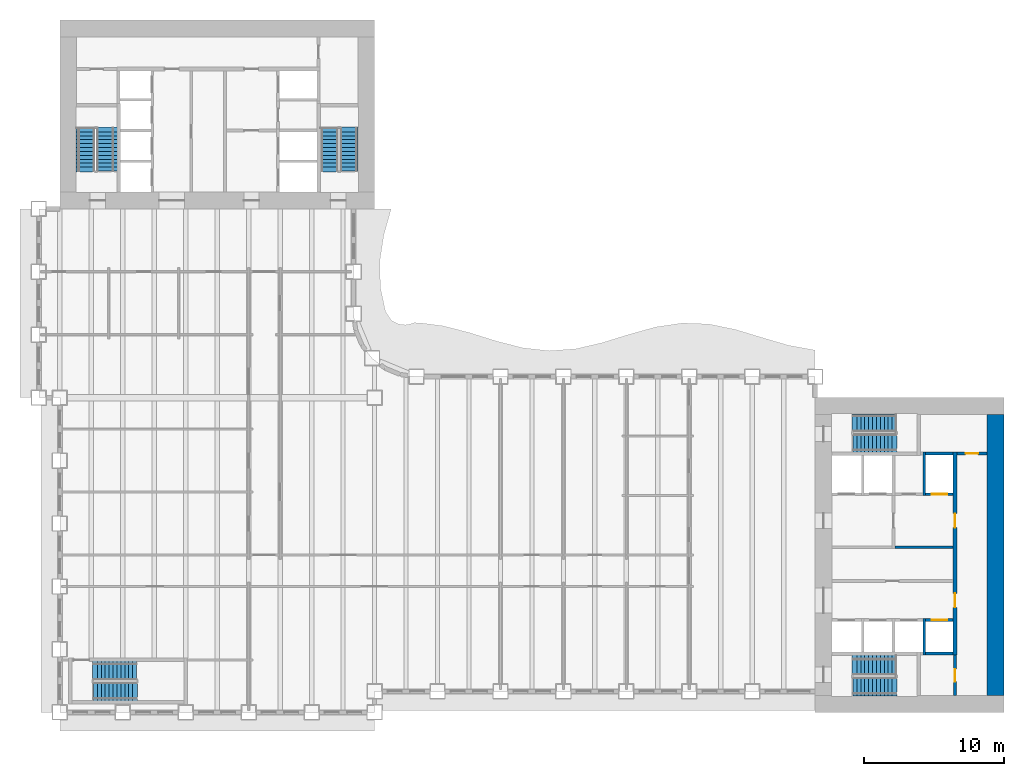
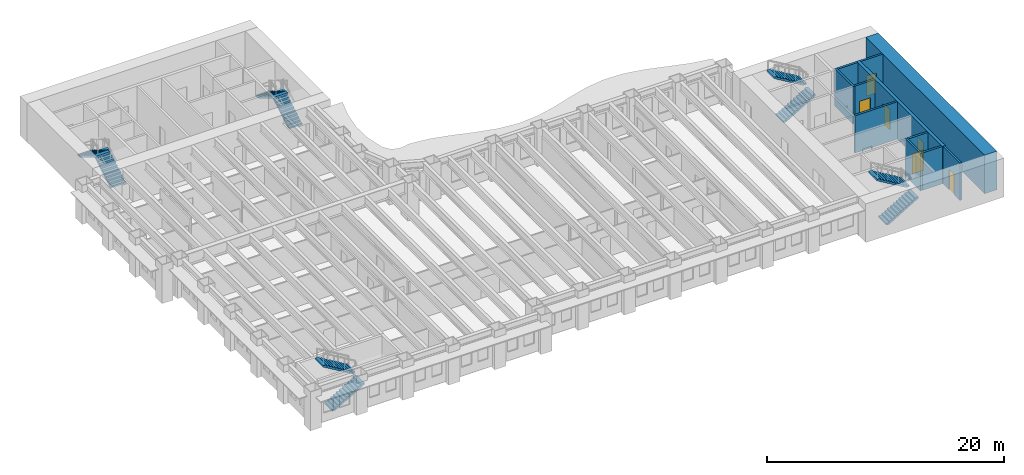
# One storey, part 9 of 15: 11 walls, 10 stair flights, 6 doors, 6 openings, 5 elements without a shape of their own.
"""IFC4 building model written with IfcOpenShell, lengths in metres."""

from ifc_helpers import new_model, si_unit, direction, frame, frame_2d, origin, place, context, subcontext, project, spatial, polyline, rectangle, outline, extrude, material, layer, layer_set, type_object, element, fill, aggregate, save


model = new_model("IFC4")

# Units and contexts
model_context = context("Model", 3, precision=1e-05, world=origin(), true_north=direction((0.0, 1.0)))
body_context = subcontext(model_context, "Body", "Model", "MODEL_VIEW")
ifc_project = project(units=[si_unit("LENGTHUNIT", "METRE"), si_unit("AREAUNIT", "SQUARE_METRE"), si_unit("VOLUMEUNIT", "CUBIC_METRE"), si_unit("PLANEANGLEUNIT", "RADIAN"), si_unit("MASSUNIT", "GRAM", prefix="KILO")], contexts=[model_context])

# Site, building, storey
site_placement = place(None, origin())
site = spatial("IfcSite", under=ifc_project, at=site_placement, CompositionType="ELEMENT")
building_placement = place(site_placement, origin())
building = spatial("IfcBuilding", under=site, at=building_placement, Name="Sennacour Bend Tower", CompositionType="ELEMENT")
storey_placement = place(building_placement, frame((0.0, 0.0, 65.0)))
storey = spatial("IfcBuildingStorey", under=building, at=storey_placement, Name="L14", CompositionType="ELEMENT", Elevation=65.0)

# Wall
ifc_material_1 = material(Name="Concrete C80/95", Category="concrete")
ifc_layer_1 = layer(ifc_material_1, 1.199951171875, Name="Concrete C80/95", Category="concrete")
ifc_layer_set_1 = layer_set([ifc_layer_1], Name="Concrete C80/95")
wall_type_1 = type_object("IfcWallType", Name="Core wall 1200 C80/95", PredefinedType="SHEAR", material=ifc_layer_set_1)
wall_1_placement = place(storey_placement, frame((66.89990234375, 1.199951171875, -0.14990234375), z_axis=(0.0, 0.0, 1.0), x_axis=(0.0, 1.0, 0.0)))
element("IfcWall", 1, at=wall_1_placement, inside=storey, type_object=wall_type_1, Name="Core A wall L14 E", PredefinedType="SHEAR", context=body_context, shape_type="SweptSolid", body=[
    extrude(rectangle(XDim=20.10009765625, YDim=1.199951171875, at=frame_2d((10.050048828125, 0.0))), origin(), (0.0, 0.0, 1.0), 4.0),
])

# Wall, opening, door
ifc_material_2 = material(Name="Fire-rated plasterboard partition on steel studs", Category="steel")
ifc_layer_2 = layer(ifc_material_2, 0.199951171875, Name="Fire-rated plasterboard partition on steel studs", Category="steel")
ifc_layer_set_2 = layer_set([ifc_layer_2], Name="Fire-rated plasterboard partition on steel studs")
wall_type_2 = type_object("IfcWallType", Name="Rated partition 200", PredefinedType="PARTITIONING", material=ifc_layer_set_2)
wall_2_placement = place(storey_placement, frame((64.0, 1.199951171875, 0.0), z_axis=(0.0, 0.0, 1.0), x_axis=(0.0, 1.0, 0.0)))
wall_2 = element("IfcWall", 2, at=wall_2_placement, inside=storey, type_object=wall_type_2, Name="P-L14-W040", PredefinedType="PARTITIONING", context=body_context, shape_type="SweptSolid", body=[
    extrude(rectangle(XDim=2.900146484375, YDim=0.199951171875, at=frame_2d((1.4501953125, 0.0))), origin(), (0.0, 0.0, 1.0), 3.85009765625),
])
opening_1_placement = place(wall_2_placement, frame((1.0, 0.0, 0.0)))
opening_1 = element("IfcOpeningElement", 3, at=opening_1_placement, cuts=wall_2, Name="Opening SV", PredefinedType="OPENING", context=body_context, shape_type="SweptSolid", body=[
    extrude(rectangle(XDim=0.89990234375, YDim=2.10009765625, at=frame_2d((0.449951171875, 1.050048828125))), frame((0.0, 0.10986328125, 0.0), z_axis=(0.0, -1.0, 0.0), x_axis=(1.0, 0.0, 0.0)), (0.0, 0.0, 1.0), 0.219970703125),
])
ifc_material_3 = material(Name="Painted steel", Category="steel")
door_type_1 = type_object("IfcDoorType", Name="DR-SERVICE-900", OperationType="NOTDEFINED", PredefinedType="DOOR", material=ifc_material_3)
door_1_placement = place(opening_1_placement, origin())
door_1 = element("IfcDoor", 4, at=door_1_placement, inside=storey, type_object=door_type_1, Name="Door", OperationType="SINGLE_SWING_LEFT", OverallHeight=2.10009765625, OverallWidth=0.89990234375, PredefinedType="DOOR", context=body_context, shape_type="SweptSolid", body=[
    extrude(rectangle(XDim=0.89990234375, YDim=2.10009765625, at=frame_2d((0.449951171875, 1.050048828125))), frame((0.0, 0.02490234375, 0.0), z_axis=(0.0, -1.0, 0.0), x_axis=(1.0, 0.0, 0.0)), (0.0, 0.0, 1.0), 0.050048828125),
])
fill(opening_1, door_1)

# Wall
wall_3_placement = place(storey_placement, frame((59.699951171875, 11.800048828125, 0.0), z_axis=(0.0, 0.0, 1.0), x_axis=(1.0, 0.0, 0.0)))
element("IfcWall", 5, at=wall_3_placement, inside=storey, type_object=wall_type_2, Name="P-L14-W054b", PredefinedType="PARTITIONING", context=body_context, shape_type="SweptSolid", body=[
    extrude(rectangle(XDim=4.150146484375, YDim=0.199951171875, at=frame_2d((2.0751953125, 0.0))), origin(), (0.0, 0.0, 1.0), 3.85009765625),
])

# Wall, opening, door
wall_4_placement = place(storey_placement, frame((64.14990234375, 18.5, 0.0), z_axis=(0.0, 0.0, 1.0), x_axis=(1.0, 0.0, 0.0)))
wall_4 = element("IfcWall", 6, at=wall_4_placement, inside=storey, type_object=wall_type_2, Name="P-L14-W063", PredefinedType="PARTITIONING", context=body_context, shape_type="SweptSolid", body=[
    extrude(rectangle(XDim=2.150146484375, YDim=0.199951171875, at=frame_2d((1.0751953125, 0.0))), origin(), (0.0, 0.0, 1.0), 3.85009765625),
])
opening_2_placement = place(wall_4_placement, frame((0.60009765625, 0.0, 0.0)))
opening_2 = element("IfcOpeningElement", 7, at=opening_2_placement, cuts=wall_4, Name="Opening SV", PredefinedType="OPENING", context=body_context, shape_type="SweptSolid", body=[
    extrude(rectangle(XDim=0.89990234375, YDim=2.10009765625, at=frame_2d((0.449951171875, 1.050048828125))), frame((0.0, 0.10986328125, 0.0), z_axis=(0.0, -1.0, 0.0), x_axis=(1.0, 0.0, 0.0)), (0.0, 0.0, 1.0), 0.219970703125),
])
door_2_placement = place(opening_2_placement, origin())
door_2 = element("IfcDoor", 8, at=door_2_placement, inside=storey, type_object=door_type_1, Name="Door", OperationType="SINGLE_SWING_LEFT", OverallHeight=2.10009765625, OverallWidth=0.89990234375, PredefinedType="DOOR", context=body_context, shape_type="SweptSolid", body=[
    extrude(rectangle(XDim=0.89990234375, YDim=2.10009765625, at=frame_2d((0.449951171875, 1.050048828125))), frame((0.0, 0.02490234375, 0.0), z_axis=(0.0, -1.0, 0.0), x_axis=(1.0, 0.0, 0.0)), (0.0, 0.0, 1.0), 0.050048828125),
])
fill(opening_2, door_2)

# Walls
ifc_material_4 = material(Name="Concrete C50/60", Category="concrete")
ifc_layer_3 = layer(ifc_material_4, 0.199951171875, Name="Concrete C50/60", Category="concrete")
ifc_layer_set_3 = layer_set([ifc_layer_3], Name="Concrete C50/60")
wall_type_3 = type_object("IfcWallType", Name="Shaft wall 200", PredefinedType="SOLIDWALL", material=ifc_layer_set_3)
wall_5_placement = place(storey_placement, frame((61.800048828125, 4.10009765625, 0.0), z_axis=(0.0, 0.0, 1.0), x_axis=(0.0, 1.0, 0.0)))
element("IfcWall", 9, at=wall_5_placement, inside=storey, type_object=wall_type_3, Name="P-L14-W038", PredefinedType="SOLIDWALL", context=body_context, shape_type="SweptSolid", body=[
    extrude(rectangle(XDim=2.599853515625, YDim=0.199951171875, at=frame_2d((1.2998046875, 0.0))), origin(), (0.0, 0.0, 1.0), 3.85009765625),
])
wall_6_placement = place(storey_placement, frame((61.800048828125, 15.5, 0.0), z_axis=(0.0, 0.0, 1.0), x_axis=(0.0, 1.0, 0.0)))
element("IfcWall", 10, at=wall_6_placement, inside=storey, type_object=wall_type_3, Name="P-L14-W039", PredefinedType="SOLIDWALL", context=body_context, shape_type="SweptSolid", body=[
    extrude(rectangle(XDim=3.10009765625, YDim=0.199951171875, at=frame_2d((1.550048828125, 0.0))), origin(), (0.0, 0.0, 1.0), 3.85009765625),
])
wall_7_placement = place(storey_placement, frame((61.89990234375, 4.199951171875, 0.0), z_axis=(0.0, 0.0, 1.0), x_axis=(1.0, 0.0, 0.0)))
element("IfcWall", 11, at=wall_7_placement, inside=storey, type_object=wall_type_3, Name="P-L14-W049b", PredefinedType="SOLIDWALL", context=body_context, shape_type="SweptSolid", body=[
    extrude(rectangle(XDim=1.9501953125, YDim=0.199951171875, at=frame_2d((0.97509765625, 0.0))), origin(), (0.0, 0.0, 1.0), 3.85009765625),
])

# Wall, opening, door
wall_8_placement = place(storey_placement, frame((61.89990234375, 6.60009765625, 0.0), z_axis=(0.0, 0.0, 1.0), x_axis=(1.0, 0.0, 0.0)))
wall_8 = element("IfcWall", 12, at=wall_8_placement, inside=storey, type_object=wall_type_3, Name="P-L14-W050d", PredefinedType="SOLIDWALL", context=body_context, shape_type="SweptSolid", body=[
    extrude(rectangle(XDim=1.9501953125, YDim=0.199951171875, at=frame_2d((0.97509765625, 0.0))), origin(), (0.0, 0.0, 1.0), 3.85009765625),
])
opening_3_placement = place(wall_8_placement, frame((0.425048828125, 0.0, 0.011962890625)))
opening_3 = element("IfcOpeningElement", 13, at=opening_3_placement, cuts=wall_8, Name="Opening LD", PredefinedType="OPENING", context=body_context, shape_type="SweptSolid", body=[
    extrude(rectangle(XDim=1.10009765625, YDim=2.10009765625, at=frame_2d((0.550048828125, 1.050048828125))), frame((0.0, 0.10986328125, 0.0), z_axis=(0.0, -1.0, 0.0), x_axis=(1.0, 0.0, 0.0)), (0.0, 0.0, 1.0), 0.219970703125),
])
ifc_material_5 = material(Name="Stainless steel", Category="steel")
door_type_2 = type_object("IfcDoorType", Name="DR-LANDING-1100", OperationType="NOTDEFINED", PredefinedType="DOOR", material=ifc_material_5)
door_3_placement = place(opening_3_placement, origin())
door_3 = element("IfcDoor", 14, at=door_3_placement, inside=storey, type_object=door_type_2, Name="Lift landing door LA4", OperationType="SLIDING_TO_RIGHT", OverallHeight=2.10009765625, OverallWidth=1.10009765625, PredefinedType="DOOR", context=body_context, shape_type="SweptSolid", body=[
    extrude(rectangle(XDim=1.10009765625, YDim=2.10009765625, at=frame_2d((0.550048828125, 1.050048828125))), frame((0.0, 0.02490234375, 0.0), z_axis=(0.0, -1.0, 0.0), x_axis=(1.0, 0.0, 0.0)), (0.0, 0.0, 1.0), 0.050048828125),
])
fill(opening_3, door_3)

wall_9_placement = place(storey_placement, frame((61.89990234375, 15.60009765625, 0.0), z_axis=(0.0, 0.0, 1.0), x_axis=(1.0, 0.0, 0.0)))
wall_9 = element("IfcWall", 15, at=wall_9_placement, inside=storey, type_object=wall_type_3, Name="P-L14-W058", PredefinedType="SOLIDWALL", context=body_context, shape_type="SweptSolid", body=[
    extrude(rectangle(XDim=1.9501953125, YDim=0.199951171875, at=frame_2d((0.97509765625, 0.0))), origin(), (0.0, 0.0, 1.0), 3.85009765625),
])
opening_4_placement = place(wall_9_placement, frame((0.425048828125, 0.0, 0.011962890625)))
opening_4 = element("IfcOpeningElement", 16, at=opening_4_placement, cuts=wall_9, Name="Opening LD", PredefinedType="OPENING", context=body_context, shape_type="SweptSolid", body=[
    extrude(rectangle(XDim=1.10009765625, YDim=2.10009765625, at=frame_2d((0.550048828125, 1.050048828125))), frame((0.0, 0.10986328125, 0.0), z_axis=(0.0, -1.0, 0.0), x_axis=(1.0, 0.0, 0.0)), (0.0, 0.0, 1.0), 0.219970703125),
])
door_4_placement = place(opening_4_placement, origin())
door_4 = element("IfcDoor", 17, at=door_4_placement, inside=storey, type_object=door_type_2, Name="Lift landing door LA5", OperationType="SLIDING_TO_LEFT", OverallHeight=2.10009765625, OverallWidth=1.10009765625, PredefinedType="DOOR", context=body_context, shape_type="SweptSolid", body=[
    extrude(rectangle(XDim=1.10009765625, YDim=2.10009765625, at=frame_2d((0.550048828125, 1.050048828125))), frame((0.0, 0.02490234375, 0.0), z_axis=(0.0, -1.0, 0.0), x_axis=(1.0, 0.0, 0.0)), (0.0, 0.0, 1.0), 0.050048828125),
])
fill(opening_4, door_4)

# Wall
wall_10_placement = place(storey_placement, frame((61.89990234375, 18.5, 0.0), z_axis=(0.0, 0.0, 1.0), x_axis=(1.0, 0.0, 0.0)))
element("IfcWall", 18, at=wall_10_placement, inside=storey, type_object=wall_type_3, Name="P-L14-W062", PredefinedType="SOLIDWALL", context=body_context, shape_type="SweptSolid", body=[
    extrude(rectangle(XDim=1.9501953125, YDim=0.199951171875, at=frame_2d((0.97509765625, 0.0))), origin(), (0.0, 0.0, 1.0), 3.85009765625),
])

# Wall, openings, doors
ifc_material_6 = material(Name="Concrete C60/75", Category="concrete")
ifc_layer_4 = layer(ifc_material_6, 0.300048828125, Name="Concrete C60/75", Category="concrete")
ifc_layer_set_4 = layer_set([ifc_layer_4], Name="Concrete C60/75")
wall_type_4 = type_object("IfcWallType", Name="Spine wall 300", PredefinedType="SHEAR", material=ifc_layer_set_4)
wall_11_placement = place(storey_placement, frame((64.0, 4.10009765625, 0.0), z_axis=(0.0, 0.0, 1.0), x_axis=(0.0, 1.0, 0.0)))
wall_11 = element("IfcWall", 19, at=wall_11_placement, inside=storey, type_object=wall_type_4, Name="P-L14-W041", PredefinedType="SHEAR", context=body_context, shape_type="SweptSolid", body=[
    extrude(rectangle(XDim=14.5, YDim=0.300048828125, at=frame_2d((7.25, 0.0))), origin(), (0.0, 0.0, 1.0), 3.85009765625),
])
opening_5_placement = place(wall_11_placement, frame((3.39990234375, 0.0, 0.0)))
opening_5 = element("IfcOpeningElement", 20, at=opening_5_placement, cuts=wall_11, Name="Opening CD2", PredefinedType="OPENING", context=body_context, shape_type="SweptSolid", body=[
    extrude(rectangle(XDim=1.0, YDim=2.10009765625, at=frame_2d((0.5, 1.050048828125))), frame((0.0, 0.16015625, 0.0), z_axis=(0.0, -1.0, 0.0), x_axis=(1.0, 0.0, 0.0)), (0.0, 0.0, 1.0), 0.320068359375),
])
opening_6_placement = place(wall_11_placement, frame((9.099853515625, 0.0, 0.0)))
opening_6 = element("IfcOpeningElement", 21, at=opening_6_placement, cuts=wall_11, Name="Opening CD2", PredefinedType="OPENING", context=body_context, shape_type="SweptSolid", body=[
    extrude(rectangle(XDim=1.0, YDim=2.10009765625, at=frame_2d((0.5, 1.050048828125))), frame((0.0, 0.16015625, 0.0), z_axis=(0.0, -1.0, 0.0), x_axis=(1.0, 0.0, 0.0)), (0.0, 0.0, 1.0), 0.320068359375),
])
door_type_3 = type_object("IfcDoorType", Name="DR-LOBBY-1000", OperationType="NOTDEFINED", PredefinedType="DOOR", material=ifc_material_3)
door_5_placement = place(opening_5_placement, origin())
door_5 = element("IfcDoor", 22, at=door_5_placement, inside=storey, type_object=door_type_3, Name="Door", OperationType="SINGLE_SWING_LEFT", OverallHeight=2.10009765625, OverallWidth=1.0, PredefinedType="DOOR", context=body_context, shape_type="SweptSolid", body=[
    extrude(rectangle(XDim=1.0, YDim=2.10009765625, at=frame_2d((0.5, 1.050048828125))), frame((0.0, 0.02490234375, 0.0), z_axis=(0.0, -1.0, 0.0), x_axis=(1.0, 0.0, 0.0)), (0.0, 0.0, 1.0), 0.050048828125),
])
fill(opening_5, door_5)
door_6_placement = place(opening_6_placement, origin())
door_6 = element("IfcDoor", 23, at=door_6_placement, inside=storey, type_object=door_type_3, Name="Door", OperationType="SINGLE_SWING_RIGHT", OverallHeight=2.10009765625, OverallWidth=1.0, PredefinedType="DOOR", context=body_context, shape_type="SweptSolid", body=[
    extrude(rectangle(XDim=1.0, YDim=2.10009765625, at=frame_2d((0.5, 1.050048828125))), frame((0.0, 0.02490234375, 0.0), z_axis=(0.0, -1.0, 0.0), x_axis=(1.0, 0.0, 0.0)), (0.0, 0.0, 1.0), 0.050048828125),
])
fill(opening_6, door_6)

# Stair, stair flights
ifc_material_7 = material(Name="Concrete C40/50", Category="concrete")
stair_type = type_object("IfcStairType", Name="ST-DOGLEG", PredefinedType="HALF_TURN_STAIR", material=ifc_material_7)
stair_1_placement = place(storey_placement, origin())
stair_1 = element("IfcStair", 24, at=stair_1_placement, inside=storey, type_object=stair_type, Name="L14 Exit stair A1", PredefinedType="HALF_TURN_STAIR")
stair_flight_type = type_object("IfcStairFlightType", Name="SFL-RC", PredefinedType="STRAIGHT", material=ifc_material_7)
stair_flight_1_placement = place(storey_placement, frame((56.699951171875, 1.8349609375, 0.0), z_axis=(0.0, 0.0, 1.0), x_axis=(1.0, 0.0, 0.0)))
stair_flight_1 = element("IfcStairFlight", 25, at=stair_flight_1_placement, type_object=stair_flight_type, Name="SA1 flight 1", NumberOfRisers=12, NumberOfTreads=11, PredefinedType="STRAIGHT", RiserHeight=0.166666667, TreadLength=0.28, context=body_context, shape_type="SweptSolid", body=[
    extrude(outline(polyline([(0.0, 0.0), (0.0, 0.166748046875), (0.280029296875, 0.166748046875), (0.280029296875, 0.333251953125), (0.56005859375, 0.333251953125), (0.56005859375, 0.5), (0.840087890625, 0.5), (0.840087890625, 0.666748046875), (1.1201171875, 0.666748046875), (1.1201171875, 0.833251953125), (1.39990234375, 0.833251953125), (1.39990234375, 1.0), (1.679931640625, 1.0), (1.679931640625, 1.166748046875), (1.9599609375, 1.166748046875), (1.9599609375, 1.333251953125), (2.239990234375, 1.333251953125), (2.239990234375, 1.5), (2.52001953125, 1.5), (2.52001953125, 1.666748046875), (2.800048828125, 1.666748046875), (2.800048828125, 1.833251953125), (3.080078125, 1.833251953125), (3.139892578125, 1.833251953125), (3.139892578125, 1.658935546875), (3.080078125, 1.658935546875), (0.29296875, 0.0), (0.0, 0.0)])), frame((0.0, 0.6650390625, 0.0), z_axis=(0.0, -1.0, 0.0), x_axis=(1.0, 0.0, 0.0)), (0.0, 0.0, 1.0), 1.330078125),
])
stair_flight_2_placement = place(storey_placement, frame((59.780029296875, 3.37744140625, 2.0), z_axis=(0.0, 0.0, 1.0), x_axis=(-1.0, 0.0, 0.0)))
stair_flight_2 = element("IfcStairFlight", 26, at=stair_flight_2_placement, type_object=stair_flight_type, Name="SA1 flight 2", NumberOfRisers=12, NumberOfTreads=11, PredefinedType="STRAIGHT", RiserHeight=0.166666667, TreadLength=0.28, context=body_context, shape_type="SweptSolid", body=[
    extrude(outline(polyline([(0.0, 0.0), (0.0, 0.166748046875), (0.280029296875, 0.166748046875), (0.280029296875, 0.333251953125), (0.56005859375, 0.333251953125), (0.56005859375, 0.5), (0.840087890625, 0.5), (0.840087890625, 0.666748046875), (1.1201171875, 0.666748046875), (1.1201171875, 0.833251953125), (1.39990234375, 0.833251953125), (1.39990234375, 1.0), (1.679931640625, 1.0), (1.679931640625, 1.166748046875), (1.9599609375, 1.166748046875), (1.9599609375, 1.333251953125), (2.239990234375, 1.333251953125), (2.239990234375, 1.5), (2.52001953125, 1.5), (2.52001953125, 1.666748046875), (2.800048828125, 1.666748046875), (2.800048828125, 1.833251953125), (3.080078125, 1.833251953125), (3.139892578125, 1.833251953125), (3.139892578125, 1.658935546875), (3.080078125, 1.658935546875), (0.29296875, 0.0), (0.0, 0.0)])), frame((0.0, 0.7275390625, 0.0), z_axis=(0.0, -1.0, 0.0), x_axis=(1.0, 0.0, 0.0)), (0.0, 0.0, 1.0), 1.455078125),
])
aggregate(stair_1, [stair_flight_1, stair_flight_2])

stair_2_placement = place(storey_placement, origin())
stair_2 = element("IfcStair", 27, at=stair_2_placement, inside=storey, type_object=stair_type, Name="L14 Exit stair A2", PredefinedType="HALF_TURN_STAIR")
stair_flight_3_placement = place(storey_placement, frame((56.699951171875, 19.24755859375, 0.0), z_axis=(0.0, 0.0, 1.0), x_axis=(1.0, 0.0, 0.0)))
stair_flight_3 = element("IfcStairFlight", 28, at=stair_flight_3_placement, type_object=stair_flight_type, Name="SA2 flight 1", NumberOfRisers=12, NumberOfTreads=11, PredefinedType="STRAIGHT", RiserHeight=0.166666667, TreadLength=0.28, context=body_context, shape_type="SweptSolid", body=[
    extrude(outline(polyline([(0.0, 0.0), (0.0, 0.166748046875), (0.280029296875, 0.166748046875), (0.280029296875, 0.333251953125), (0.56005859375, 0.333251953125), (0.56005859375, 0.5), (0.840087890625, 0.5), (0.840087890625, 0.666748046875), (1.1201171875, 0.666748046875), (1.1201171875, 0.833251953125), (1.39990234375, 0.833251953125), (1.39990234375, 1.0), (1.679931640625, 1.0), (1.679931640625, 1.166748046875), (1.9599609375, 1.166748046875), (1.9599609375, 1.333251953125), (2.239990234375, 1.333251953125), (2.239990234375, 1.5), (2.52001953125, 1.5), (2.52001953125, 1.666748046875), (2.800048828125, 1.666748046875), (2.800048828125, 1.833251953125), (3.080078125, 1.833251953125), (3.139892578125, 1.833251953125), (3.139892578125, 1.658935546875), (3.080078125, 1.658935546875), (0.29296875, 0.0), (0.0, 0.0)])), frame((0.0, 0.65234375, 0.0), z_axis=(0.0, -1.0, 0.0), x_axis=(1.0, 0.0, 0.0)), (0.0, 0.0, 1.0), 1.304931640625),
])
stair_flight_4_placement = place(storey_placement, frame((59.780029296875, 20.68994140625, 2.0), z_axis=(0.0, 0.0, 1.0), x_axis=(-1.0, 0.0, 0.0)))
stair_flight_4 = element("IfcStairFlight", 29, at=stair_flight_4_placement, type_object=stair_flight_type, Name="SA2 flight 2", NumberOfRisers=12, NumberOfTreads=11, PredefinedType="STRAIGHT", RiserHeight=0.166666667, TreadLength=0.28, context=body_context, shape_type="SweptSolid", body=[
    extrude(outline(polyline([(0.0, 0.0), (0.0, 0.166748046875), (0.280029296875, 0.166748046875), (0.280029296875, 0.333251953125), (0.56005859375, 0.333251953125), (0.56005859375, 0.5), (0.840087890625, 0.5), (0.840087890625, 0.666748046875), (1.1201171875, 0.666748046875), (1.1201171875, 0.833251953125), (1.39990234375, 0.833251953125), (1.39990234375, 1.0), (1.679931640625, 1.0), (1.679931640625, 1.166748046875), (1.9599609375, 1.166748046875), (1.9599609375, 1.333251953125), (2.239990234375, 1.333251953125), (2.239990234375, 1.5), (2.52001953125, 1.5), (2.52001953125, 1.666748046875), (2.800048828125, 1.666748046875), (2.800048828125, 1.833251953125), (3.080078125, 1.833251953125), (3.139892578125, 1.833251953125), (3.139892578125, 1.658935546875), (3.080078125, 1.658935546875), (0.29296875, 0.0), (0.0, 0.0)])), frame((0.0, 0.64013671875, 0.0), z_axis=(0.0, -1.0, 0.0), x_axis=(1.0, 0.0, 0.0)), (0.0, 0.0, 1.0), 1.280029296875),
])
aggregate(stair_2, [stair_flight_3, stair_flight_4])

stair_3_placement = place(storey_placement, origin())
stair_3 = element("IfcStair", 30, at=stair_3_placement, inside=storey, type_object=stair_type, Name="L14 Exit stair B1", PredefinedType="HALF_TURN_STAIR")
stair_flight_5_placement = place(storey_placement, frame((3.37744140625, 38.699951171875, 0.0), z_axis=(0.0, 0.0, 1.0), x_axis=(0.0, 1.0, 0.0)))
stair_flight_5 = element("IfcStairFlight", 31, at=stair_flight_5_placement, type_object=stair_flight_type, Name="SB1 flight 1", NumberOfRisers=12, NumberOfTreads=11, PredefinedType="STRAIGHT", RiserHeight=0.166666667, TreadLength=0.28, context=body_context, shape_type="SweptSolid", body=[
    extrude(outline(polyline([(0.0, 0.0), (0.0, 0.166748046875), (0.280029296875, 0.166748046875), (0.280029296875, 0.333251953125), (0.56005859375, 0.333251953125), (0.56005859375, 0.5), (0.840087890625, 0.5), (0.840087890625, 0.666748046875), (1.1201171875, 0.666748046875), (1.1201171875, 0.833251953125), (1.39990234375, 0.833251953125), (1.39990234375, 1.0), (1.679931640625, 1.0), (1.679931640625, 1.166748046875), (1.9599609375, 1.166748046875), (1.9599609375, 1.333251953125), (2.239990234375, 1.333251953125), (2.239990234375, 1.5), (2.52001953125, 1.5), (2.52001953125, 1.666748046875), (2.800048828125, 1.666748046875), (2.800048828125, 1.833251953125), (3.080078125, 1.833251953125), (3.139892578125, 1.833251953125), (3.139892578125, 1.658935546875), (3.080078125, 1.658935546875), (0.29296875, 0.0), (0.0, 0.0)])), frame((0.0, 0.7275390625, 0.0), z_axis=(0.0, -1.0, 0.0), x_axis=(1.0, 0.0, 0.0)), (0.0, 0.0, 1.0), 1.455078125),
])
stair_flight_6_placement = place(storey_placement, frame((1.8349609375, 41.780029296875, 2.0), z_axis=(0.0, 0.0, 1.0), x_axis=(0.0, -1.0, 0.0)))
stair_flight_6 = element("IfcStairFlight", 32, at=stair_flight_6_placement, type_object=stair_flight_type, Name="SB1 flight 2", NumberOfRisers=12, NumberOfTreads=11, PredefinedType="STRAIGHT", RiserHeight=0.166666667, TreadLength=0.28, context=body_context, shape_type="SweptSolid", body=[
    extrude(outline(polyline([(0.0, 0.0), (0.0, 0.166748046875), (0.280029296875, 0.166748046875), (0.280029296875, 0.333251953125), (0.56005859375, 0.333251953125), (0.56005859375, 0.5), (0.840087890625, 0.5), (0.840087890625, 0.666748046875), (1.1201171875, 0.666748046875), (1.1201171875, 0.833251953125), (1.39990234375, 0.833251953125), (1.39990234375, 1.0), (1.679931640625, 1.0), (1.679931640625, 1.166748046875), (1.9599609375, 1.166748046875), (1.9599609375, 1.333251953125), (2.239990234375, 1.333251953125), (2.239990234375, 1.5), (2.52001953125, 1.5), (2.52001953125, 1.666748046875), (2.800048828125, 1.666748046875), (2.800048828125, 1.833251953125), (3.080078125, 1.833251953125), (3.139892578125, 1.833251953125), (3.139892578125, 1.658935546875), (3.080078125, 1.658935546875), (0.29296875, 0.0), (0.0, 0.0)])), frame((0.0, 0.6650390625, 0.0), z_axis=(0.0, -1.0, 0.0), x_axis=(1.0, 0.0, 0.0)), (0.0, 0.0, 1.0), 1.330078125),
])
aggregate(stair_3, [stair_flight_5, stair_flight_6])

stair_4_placement = place(storey_placement, origin())
stair_4 = element("IfcStair", 33, at=stair_4_placement, inside=storey, type_object=stair_type, Name="L14 Exit stair B2", PredefinedType="HALF_TURN_STAIR")
stair_flight_7_placement = place(storey_placement, frame((20.68994140625, 38.699951171875, 0.0), z_axis=(0.0, 0.0, 1.0), x_axis=(0.0, 1.0, 0.0)))
stair_flight_7 = element("IfcStairFlight", 34, at=stair_flight_7_placement, type_object=stair_flight_type, Name="SB2 flight 1", NumberOfRisers=12, NumberOfTreads=11, PredefinedType="STRAIGHT", RiserHeight=0.166666667, TreadLength=0.28, context=body_context, shape_type="SweptSolid", body=[
    extrude(outline(polyline([(0.0, 0.0), (0.0, 0.166748046875), (0.280029296875, 0.166748046875), (0.280029296875, 0.333251953125), (0.56005859375, 0.333251953125), (0.56005859375, 0.5), (0.840087890625, 0.5), (0.840087890625, 0.666748046875), (1.1201171875, 0.666748046875), (1.1201171875, 0.833251953125), (1.39990234375, 0.833251953125), (1.39990234375, 1.0), (1.679931640625, 1.0), (1.679931640625, 1.166748046875), (1.9599609375, 1.166748046875), (1.9599609375, 1.333251953125), (2.239990234375, 1.333251953125), (2.239990234375, 1.5), (2.52001953125, 1.5), (2.52001953125, 1.666748046875), (2.800048828125, 1.666748046875), (2.800048828125, 1.833251953125), (3.080078125, 1.833251953125), (3.139892578125, 1.833251953125), (3.139892578125, 1.658935546875), (3.080078125, 1.658935546875), (0.29296875, 0.0), (0.0, 0.0)])), frame((0.0, 0.64013671875, 0.0), z_axis=(0.0, -1.0, 0.0), x_axis=(1.0, 0.0, 0.0)), (0.0, 0.0, 1.0), 1.280029296875),
])
stair_flight_8_placement = place(storey_placement, frame((19.24755859375, 41.780029296875, 2.0), z_axis=(0.0, 0.0, 1.0), x_axis=(0.0, -1.0, 0.0)))
stair_flight_8 = element("IfcStairFlight", 35, at=stair_flight_8_placement, type_object=stair_flight_type, Name="SB2 flight 2", NumberOfRisers=12, NumberOfTreads=11, PredefinedType="STRAIGHT", RiserHeight=0.166666667, TreadLength=0.28, context=body_context, shape_type="SweptSolid", body=[
    extrude(outline(polyline([(0.0, 0.0), (0.0, 0.166748046875), (0.280029296875, 0.166748046875), (0.280029296875, 0.333251953125), (0.56005859375, 0.333251953125), (0.56005859375, 0.5), (0.840087890625, 0.5), (0.840087890625, 0.666748046875), (1.1201171875, 0.666748046875), (1.1201171875, 0.833251953125), (1.39990234375, 0.833251953125), (1.39990234375, 1.0), (1.679931640625, 1.0), (1.679931640625, 1.166748046875), (1.9599609375, 1.166748046875), (1.9599609375, 1.333251953125), (2.239990234375, 1.333251953125), (2.239990234375, 1.5), (2.52001953125, 1.5), (2.52001953125, 1.666748046875), (2.800048828125, 1.666748046875), (2.800048828125, 1.833251953125), (3.080078125, 1.833251953125), (3.139892578125, 1.833251953125), (3.139892578125, 1.658935546875), (3.080078125, 1.658935546875), (0.29296875, 0.0), (0.0, 0.0)])), frame((0.0, 0.65234375, 0.0), z_axis=(0.0, -1.0, 0.0), x_axis=(1.0, 0.0, 0.0)), (0.0, 0.0, 1.0), 1.304931640625),
])
aggregate(stair_4, [stair_flight_7, stair_flight_8])

stair_5_placement = place(storey_placement, origin())
stair_5 = element("IfcStair", 36, at=stair_5_placement, inside=storey, type_object=stair_type, Name="L14 Exit stair K1", PredefinedType="HALF_TURN_STAIR")
stair_flight_9_placement = place(storey_placement, frame((2.39990234375, 1.485107421875, 0.0), z_axis=(0.0, 0.0, 1.0), x_axis=(1.0, 0.0, 0.0)))
stair_flight_9 = element("IfcStairFlight", 37, at=stair_flight_9_placement, type_object=stair_flight_type, Name="SK1 flight 1", NumberOfRisers=12, NumberOfTreads=11, PredefinedType="STRAIGHT", RiserHeight=0.166666667, TreadLength=0.28, context=body_context, shape_type="SweptSolid", body=[
    extrude(outline(polyline([(0.0, 0.0), (0.0, 0.166748046875), (0.280029296875, 0.166748046875), (0.280029296875, 0.333251953125), (0.56005859375, 0.333251953125), (0.56005859375, 0.5), (0.840087890625, 0.5), (0.840087890625, 0.666748046875), (1.1201171875, 0.666748046875), (1.1201171875, 0.833251953125), (1.39990234375, 0.833251953125), (1.39990234375, 1.0), (1.679931640625, 1.0), (1.679931640625, 1.166748046875), (1.9599609375, 1.166748046875), (1.9599609375, 1.333251953125), (2.239990234375, 1.333251953125), (2.239990234375, 1.5), (2.52001953125, 1.5), (2.52001953125, 1.666748046875), (2.800048828125, 1.666748046875), (2.800048828125, 1.833251953125), (3.080078125, 1.833251953125), (3.139892578125, 1.833251953125), (3.139892578125, 1.658935546875), (3.080078125, 1.658935546875), (0.29296875, 0.0), (0.0, 0.0)])), frame((0.0, 0.6650390625, 0.0), z_axis=(0.0, -1.0, 0.0), x_axis=(1.0, 0.0, 0.0)), (0.0, 0.0, 1.0), 1.330078125),
])
stair_flight_10_placement = place(storey_placement, frame((5.47998046875, 2.9775390625, 2.0), z_axis=(0.0, 0.0, 1.0), x_axis=(-1.0, 0.0, 0.0)))
stair_flight_10 = element("IfcStairFlight", 38, at=stair_flight_10_placement, type_object=stair_flight_type, Name="SK1 flight 2", NumberOfRisers=12, NumberOfTreads=11, PredefinedType="STRAIGHT", RiserHeight=0.166666667, TreadLength=0.28, context=body_context, shape_type="SweptSolid", body=[
    extrude(outline(polyline([(0.0, 0.0), (0.0, 0.166748046875), (0.280029296875, 0.166748046875), (0.280029296875, 0.333251953125), (0.56005859375, 0.333251953125), (0.56005859375, 0.5), (0.840087890625, 0.5), (0.840087890625, 0.666748046875), (1.1201171875, 0.666748046875), (1.1201171875, 0.833251953125), (1.39990234375, 0.833251953125), (1.39990234375, 1.0), (1.679931640625, 1.0), (1.679931640625, 1.166748046875), (1.9599609375, 1.166748046875), (1.9599609375, 1.333251953125), (2.239990234375, 1.333251953125), (2.239990234375, 1.5), (2.52001953125, 1.5), (2.52001953125, 1.666748046875), (2.800048828125, 1.666748046875), (2.800048828125, 1.833251953125), (3.080078125, 1.833251953125), (3.139892578125, 1.833251953125), (3.139892578125, 1.658935546875), (3.080078125, 1.658935546875), (0.29296875, 0.0), (0.0, 0.0)])), frame((0.0, 0.677490234375, 0.0), z_axis=(0.0, -1.0, 0.0), x_axis=(1.0, 0.0, 0.0)), (0.0, 0.0, 1.0), 1.35498046875),
])
aggregate(stair_5, [stair_flight_9, stair_flight_10])

save(model, "model.ifc")
